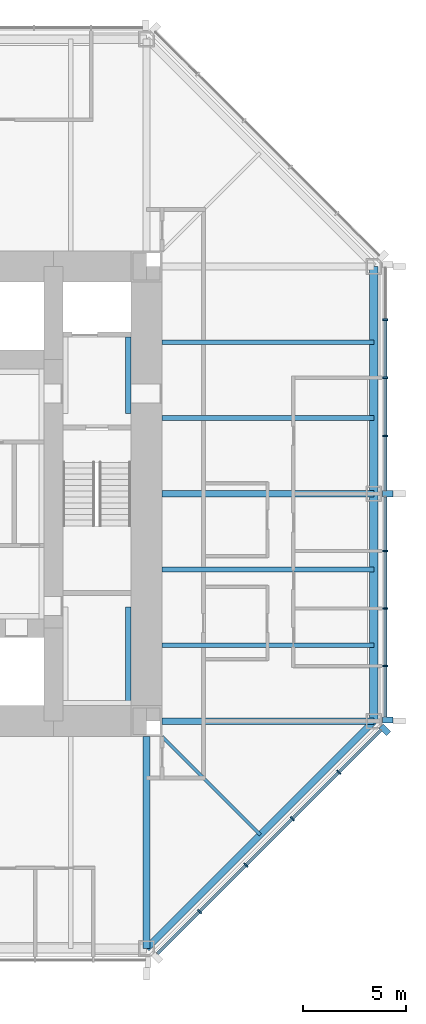
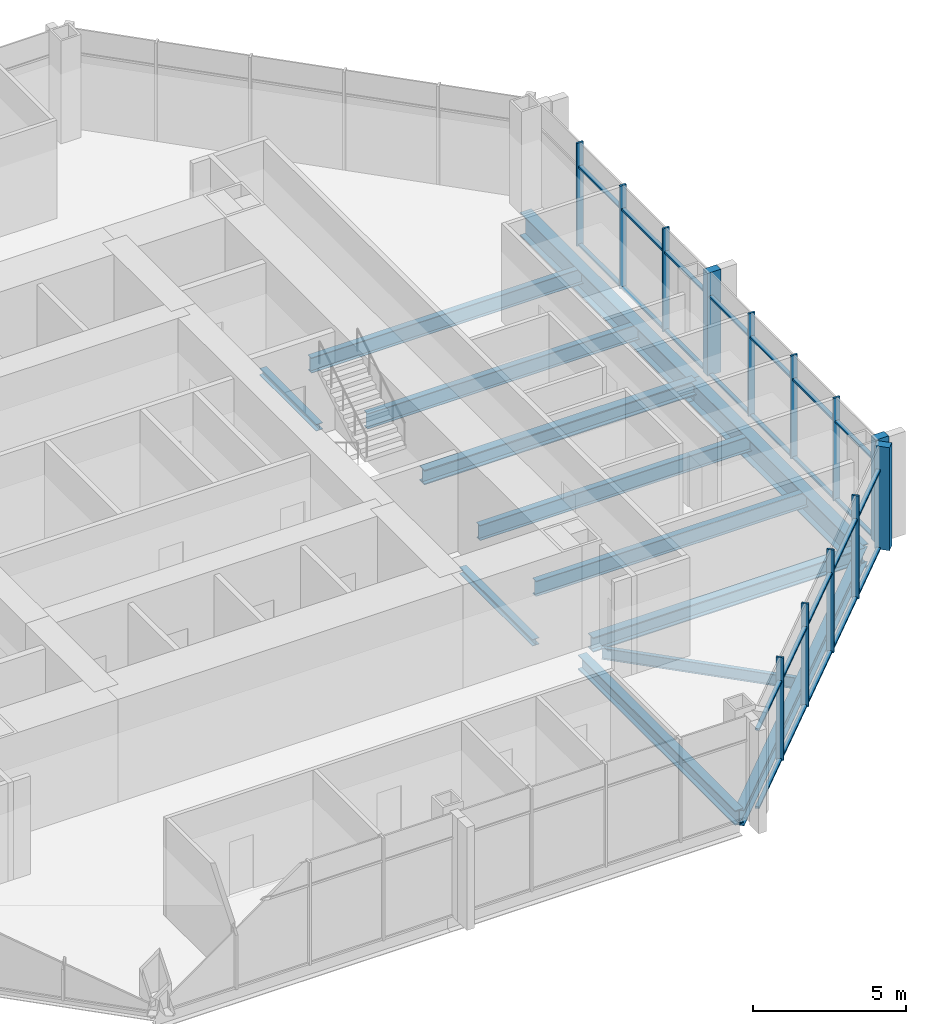
# One storey, part 4 of 12: 37 members, 13 beams, 2 elements without a shape of their own.
"""IFC4 building model written with IfcOpenShell, lengths in metres."""

from ifc_helpers import new_model, si_unit, direction, frame, origin, origin_2d, place, context, subcontext, project, spatial, rectangle, i_section, extrude, material, material_profile, profile_set, type_object, element, aggregate, save


model = new_model("IFC4")

# Units and contexts
model_context = context("Model", 3, precision=1e-05, world=origin(), true_north=direction((0.0, 1.0)))
body_context = subcontext(model_context, "Body", "Model", "MODEL_VIEW")
ifc_project = project(units=[si_unit("LENGTHUNIT", "METRE"), si_unit("AREAUNIT", "SQUARE_METRE"), si_unit("VOLUMEUNIT", "CUBIC_METRE"), si_unit("PLANEANGLEUNIT", "RADIAN"), si_unit("MASSUNIT", "GRAM", prefix="KILO")], contexts=[model_context])

# Site, building, storey
site_placement = place(None, origin())
site = spatial("IfcSite", under=ifc_project, at=site_placement, CompositionType="ELEMENT")
building_placement = place(site_placement, origin())
building = spatial("IfcBuilding", under=site, at=building_placement, Name="Trevanion Tower", CompositionType="ELEMENT")
storey_placement = place(building_placement, frame((0.0, 0.0, 145.89990234375)))
storey = spatial("IfcBuildingStorey", under=building, at=storey_placement, Name="L34", CompositionType="ELEMENT", Elevation=145.89990234375)

# Beams
ifc_material_1 = material(Name="Steel ASTM A992 Grade 50", Category="steel")
ifc_material_profile_1 = material_profile(ifc_material_1, i_section(OverallWidth=0.22900390625, OverallDepth=0.612060546875, WebThickness=0.011962890625, FlangeThickness=0.01953125, at=origin_2d()), Name="W24X84")
ifc_profile_set_1 = profile_set([ifc_material_profile_1], Name="Steel ASTM A992 Grade 50")
beam_type_1 = type_object("IfcBeamType", Name="B7 W24X84", PredefinedType="BEAM", material=ifc_profile_set_1)
for number, where, z_axis, x_axis, name in (
    (1, (11.75, -7.333251953125, -0.49609375), (1.0, 0.0, 0.0), (0.0, 1.0, 0.0), "B7 L34"),
    (2, (11.75, -3.666748046875, -0.49609375), (1.0, 0.0, 0.0), (0.0, 1.0, 0.0), "B7 L34"),
    (3, (11.75, 3.666748046875, -0.49609375), (1.0, 0.0, 0.0), (0.0, 1.0, 0.0), "B7 L34"),
    (4, (11.75, 7.333251953125, -0.49609375), (1.0, 0.0, 0.0), (0.0, 1.0, 0.0), "B7 L34"),
):
    element("IfcBeam", number, at=place(storey_placement, frame(where, z_axis=z_axis, x_axis=x_axis)), inside=storey, type_object=beam_type_1, Name=name, PredefinedType="BEAM", context=body_context, shape_type="SweptSolid", body=[
        extrude(i_section(OverallWidth=0.22900390625, OverallDepth=0.612060546875, WebThickness=0.011962890625, FlangeThickness=0.01953125, at=origin_2d()), origin(), (0.0, 0.0, 1.0), 10.25),
    ])
ifc_material_2 = material(Name="Steel ASTM A992 Grade 50", Category="steel")
ifc_material_profile_2 = material_profile(ifc_material_2, i_section(OverallWidth=0.15234375, OverallDepth=0.449462890625, WebThickness=0.007568359375, FlangeThickness=0.0107421875, at=origin_2d()), Name="W18X35")
ifc_profile_set_2 = profile_set([ifc_material_profile_2], Name="Steel ASTM A992 Grade 50")
beam_type_2 = type_object("IfcBeamType", Name="B8 W18X35", PredefinedType="BEAM", material=ifc_profile_set_2)
beam_1_placement = place(storey_placement, frame((11.75, -11.75, -0.414794921875), z_axis=(0.707106781187, -0.707106781187, 0.0), x_axis=(0.707106781187, 0.707106781187, 0.0)))
element("IfcBeam", 5, at=beam_1_placement, inside=storey, type_object=beam_type_2, Name="B8 L34", PredefinedType="BEAM", context=body_context, shape_type="SweptSolid", body=[
    extrude(i_section(OverallWidth=0.15234375, OverallDepth=0.449462890625, WebThickness=0.007568359375, FlangeThickness=0.0107421875, at=origin_2d()), origin(), (0.0, 0.0, 1.0), 6.717529296875),
])

# Curtain wall, members
ifc_material_3 = material(Name="Aluminium and glass", Category="aluminium")
curtain_wall_type = type_object("IfcCurtainWallType", Name="CW2 curtain wall", PredefinedType="USERDEFINED", material=ifc_material_3)
curtain_wall_1_placement = place(storey_placement, origin())
curtain_wall_1 = element("IfcCurtainWall", 6, at=curtain_wall_1_placement, inside=storey, type_object=curtain_wall_type, Name="CW2 L34 0", ObjectType="UNITISED CURTAIN WALL", PredefinedType="USERDEFINED")
ifc_material_4 = material(Name="Aluminium extrusion, anodised bronze", Category="aluminium")
ifc_material_profile_3 = material_profile(ifc_material_4, rectangle(XDim=0.074951171875, YDim=0.25, at=origin_2d()), Name="CW2 mullion")
ifc_profile_set_3 = profile_set([ifc_material_profile_3], Name="Aluminium extrusion, anodised bronze")
member_type_1 = type_object("IfcMemberType", Name="CW2 mullion", PredefinedType="MULLION", material=ifc_profile_set_3)
member_1_placement = place(storey_placement, frame((22.550048828125, -8.323486328125, -0.18994140625), z_axis=(0.0, 0.0, 1.0), x_axis=(0.0, 1.0, 0.0)))
member_1 = element("IfcMember", 7, at=member_1_placement, type_object=member_type_1, Name="CW2 mullion 2", PredefinedType="MULLION", context=body_context, shape_type="SweptSolid", body=[
    extrude(rectangle(XDim=0.074951171875, YDim=0.25, at=origin_2d()), origin(), (0.0, 0.0, 1.0), 4.10009765625),
])
member_2_placement = place(storey_placement, frame((22.550048828125, -5.548828125, -0.18994140625), z_axis=(0.0, 0.0, 1.0), x_axis=(0.0, 1.0, 0.0)))
member_2 = element("IfcMember", 8, at=member_2_placement, type_object=member_type_1, Name="CW2 mullion 3", PredefinedType="MULLION", context=body_context, shape_type="SweptSolid", body=[
    extrude(rectangle(XDim=0.074951171875, YDim=0.25, at=origin_2d()), origin(), (0.0, 0.0, 1.0), 4.10009765625),
])
member_3_placement = place(storey_placement, frame((22.550048828125, -2.7744140625, -0.18994140625), z_axis=(0.0, 0.0, 1.0), x_axis=(0.0, 1.0, 0.0)))
member_3 = element("IfcMember", 9, at=member_3_placement, type_object=member_type_1, Name="CW2 mullion 4", PredefinedType="MULLION", context=body_context, shape_type="SweptSolid", body=[
    extrude(rectangle(XDim=0.074951171875, YDim=0.25, at=origin_2d()), origin(), (0.0, 0.0, 1.0), 4.10009765625),
])
member_4_placement = place(storey_placement, frame((22.550048828125, 2.806884765625, -0.18994140625), z_axis=(0.0, 0.0, 1.0), x_axis=(0.0, 1.0, 0.0)))
member_4 = element("IfcMember", 10, at=member_4_placement, type_object=member_type_1, Name="CW2 mullion 6", PredefinedType="MULLION", context=body_context, shape_type="SweptSolid", body=[
    extrude(rectangle(XDim=0.074951171875, YDim=0.25, at=origin_2d()), origin(), (0.0, 0.0, 1.0), 4.10009765625),
])
member_5_placement = place(storey_placement, frame((22.550048828125, 5.614013671875, -0.18994140625), z_axis=(0.0, 0.0, 1.0), x_axis=(0.0, 1.0, 0.0)))
member_5 = element("IfcMember", 11, at=member_5_placement, type_object=member_type_1, Name="CW2 mullion 7", PredefinedType="MULLION", context=body_context, shape_type="SweptSolid", body=[
    extrude(rectangle(XDim=0.074951171875, YDim=0.25, at=origin_2d()), origin(), (0.0, 0.0, 1.0), 4.10009765625),
])
member_6_placement = place(storey_placement, frame((22.550048828125, 8.4208984375, -0.18994140625), z_axis=(0.0, 0.0, 1.0), x_axis=(0.0, 1.0, 0.0)))
member_6 = element("IfcMember", 12, at=member_6_placement, type_object=member_type_1, Name="CW2 mullion 8", PredefinedType="MULLION", context=body_context, shape_type="SweptSolid", body=[
    extrude(rectangle(XDim=0.074951171875, YDim=0.25, at=origin_2d()), origin(), (0.0, 0.0, 1.0), 4.10009765625),
])

curtain_wall_2_placement = place(storey_placement, origin())
curtain_wall_2 = element("IfcCurtainWall", 13, at=curtain_wall_2_placement, inside=storey, type_object=curtain_wall_type, Name="CW2 L34 7", ObjectType="UNITISED CURTAIN WALL", PredefinedType="USERDEFINED")
member_7_placement = place(storey_placement, frame((13.56591796875, -20.2119140625, -0.18994140625), z_axis=(0.0, 0.0, 1.0), x_axis=(0.707106781187, 0.707106781187, 0.0)))
member_7 = element("IfcMember", 14, at=member_7_placement, type_object=member_type_1, Name="CW2 mullion 2", PredefinedType="MULLION", context=body_context, shape_type="SweptSolid", body=[
    extrude(rectangle(XDim=0.074951171875, YDim=0.25, at=origin_2d()), origin(), (0.0, 0.0, 1.0), 4.10009765625),
])
member_8_placement = place(storey_placement, frame((15.811767578125, -17.966064453125, -0.18994140625), z_axis=(0.0, 0.0, 1.0), x_axis=(0.707106781187, 0.707106781187, 0.0)))
member_8 = element("IfcMember", 15, at=member_8_placement, type_object=member_type_1, Name="CW2 mullion 3", PredefinedType="MULLION", context=body_context, shape_type="SweptSolid", body=[
    extrude(rectangle(XDim=0.074951171875, YDim=0.25, at=origin_2d()), origin(), (0.0, 0.0, 1.0), 4.10009765625),
])
member_9_placement = place(storey_placement, frame((18.057861328125, -15.719970703125, -0.18994140625), z_axis=(0.0, 0.0, 1.0), x_axis=(0.707106781187, 0.707106781187, 0.0)))
member_9 = element("IfcMember", 16, at=member_9_placement, type_object=member_type_1, Name="CW2 mullion 4", PredefinedType="MULLION", context=body_context, shape_type="SweptSolid", body=[
    extrude(rectangle(XDim=0.074951171875, YDim=0.25, at=origin_2d()), origin(), (0.0, 0.0, 1.0), 4.10009765625),
])
member_10_placement = place(storey_placement, frame((20.303955078125, -13.473876953125, -0.18994140625), z_axis=(0.0, 0.0, 1.0), x_axis=(0.707106781187, 0.707106781187, 0.0)))
member_10 = element("IfcMember", 17, at=member_10_placement, type_object=member_type_1, Name="CW2 mullion 5", PredefinedType="MULLION", context=body_context, shape_type="SweptSolid", body=[
    extrude(rectangle(XDim=0.074951171875, YDim=0.25, at=origin_2d()), origin(), (0.0, 0.0, 1.0), 4.10009765625),
])

# Member
ifc_material_5 = material(Name="Aluminium extrusion, anodised bronze", Category="aluminium")
ifc_material_profile_4 = material_profile(ifc_material_5, rectangle(XDim=0.300048828125, YDim=0.5, at=origin_2d()), Name="CW2 pier mullion")
ifc_profile_set_4 = profile_set([ifc_material_profile_4], Name="Aluminium extrusion, anodised bronze")
member_type_2 = type_object("IfcMemberType", Name="CW2 pier mullion", PredefinedType="MULLION", material=ifc_profile_set_4)
member_11_placement = place(storey_placement, frame((22.675048828125, -10.94775390625, -0.18994140625), z_axis=(0.0, 0.0, 1.0), x_axis=(0.0, 1.0, 0.0)))
member_11 = element("IfcMember", 18, at=member_11_placement, type_object=member_type_2, Name="CW2 pier mullion 1", PredefinedType="MULLION", context=body_context, shape_type="SweptSolid", body=[
    extrude(rectangle(XDim=0.300048828125, YDim=0.5, at=origin_2d()), origin(), (0.0, 0.0, 1.0), 4.10009765625),
])

member_12_placement = place(storey_placement, frame((22.675048828125, 0.0, -0.18994140625), z_axis=(0.0, 0.0, 1.0), x_axis=(0.0, 1.0, 0.0)))
member_12 = element("IfcMember", 19, at=member_12_placement, type_object=member_type_2, Name="CW2 pier mullion 5", PredefinedType="MULLION", context=body_context, shape_type="SweptSolid", body=[
    extrude(rectangle(XDim=0.300048828125, YDim=0.5, at=origin_2d()), origin(), (0.0, 0.0, 1.0), 4.10009765625),
])

member_13_placement = place(storey_placement, frame((22.5322265625, -11.42236328125, -0.18994140625), z_axis=(0.0, 0.0, 1.0), x_axis=(0.707106781187, 0.707106781187, 0.0)))
member_13 = element("IfcMember", 20, at=member_13_placement, type_object=member_type_2, Name="CW2 pier mullion 6", PredefinedType="MULLION", context=body_context, shape_type="SweptSolid", body=[
    extrude(rectangle(XDim=0.300048828125, YDim=0.5, at=origin_2d()), origin(), (0.0, 0.0, 1.0), 4.10009765625),
])

ifc_material_6 = material(Name="Aluminium extrusion, anodised bronze", Category="aluminium")
ifc_material_profile_5 = material_profile(ifc_material_6, rectangle(XDim=0.14990234375, YDim=0.074951171875, at=origin_2d()), Name="CW2 transom")
ifc_profile_set_5 = profile_set([ifc_material_profile_5], Name="Aluminium extrusion, anodised bronze")
member_type_3 = type_object("IfcMemberType", Name="CW2 transom", PredefinedType="USERDEFINED", material=ifc_profile_set_5)
member_14_placement = place(storey_placement, frame((22.550048828125, -10.7978515625, -0.15234375), z_axis=(0.0, 1.0, 0.0), x_axis=(-1.0, 0.0, 0.0)))
member_14 = element("IfcMember", 21, at=member_14_placement, type_object=member_type_3, Name="CW2 transom 1.1", ObjectType="TRANSOM", PredefinedType="USERDEFINED", context=body_context, shape_type="SweptSolid", body=[
    extrude(rectangle(XDim=0.14990234375, YDim=0.074951171875, at=origin_2d()), origin(), (0.0, 0.0, 1.0), 2.43701171875),
])

member_15_placement = place(storey_placement, frame((22.550048828125, -10.7978515625, 2.960205078125), z_axis=(0.0, 1.0, 0.0), x_axis=(-1.0, 0.0, 0.0)))
member_15 = element("IfcMember", 22, at=member_15_placement, type_object=member_type_3, Name="CW2 transom 1.2", ObjectType="TRANSOM", PredefinedType="USERDEFINED", context=body_context, shape_type="SweptSolid", body=[
    extrude(rectangle(XDim=0.14990234375, YDim=0.074951171875, at=origin_2d()), origin(), (0.0, 0.0, 1.0), 2.43701171875),
])

member_16_placement = place(storey_placement, frame((22.550048828125, -8.285888671875, -0.15234375), z_axis=(0.0, 1.0, 0.0), x_axis=(-1.0, 0.0, 0.0)))
member_16 = element("IfcMember", 23, at=member_16_placement, type_object=member_type_3, Name="CW2 transom 2.1", ObjectType="TRANSOM", PredefinedType="USERDEFINED", context=body_context, shape_type="SweptSolid", body=[
    extrude(rectangle(XDim=0.14990234375, YDim=0.074951171875, at=origin_2d()), origin(), (0.0, 0.0, 1.0), 2.699462890625),
])

member_17_placement = place(storey_placement, frame((22.550048828125, -8.285888671875, 2.960205078125), z_axis=(0.0, 1.0, 0.0), x_axis=(-1.0, 0.0, 0.0)))
member_17 = element("IfcMember", 24, at=member_17_placement, type_object=member_type_3, Name="CW2 transom 2.2", ObjectType="TRANSOM", PredefinedType="USERDEFINED", context=body_context, shape_type="SweptSolid", body=[
    extrude(rectangle(XDim=0.14990234375, YDim=0.074951171875, at=origin_2d()), origin(), (0.0, 0.0, 1.0), 2.699462890625),
])

member_18_placement = place(storey_placement, frame((22.550048828125, -5.511474609375, -0.15234375), z_axis=(0.0, 1.0, 0.0), x_axis=(-1.0, 0.0, 0.0)))
member_18 = element("IfcMember", 25, at=member_18_placement, type_object=member_type_3, Name="CW2 transom 3.1", ObjectType="TRANSOM", PredefinedType="USERDEFINED", context=body_context, shape_type="SweptSolid", body=[
    extrude(rectangle(XDim=0.14990234375, YDim=0.074951171875, at=origin_2d()), origin(), (0.0, 0.0, 1.0), 2.699462890625),
])

member_19_placement = place(storey_placement, frame((22.550048828125, -5.511474609375, 2.960205078125), z_axis=(0.0, 1.0, 0.0), x_axis=(-1.0, 0.0, 0.0)))
member_19 = element("IfcMember", 26, at=member_19_placement, type_object=member_type_3, Name="CW2 transom 3.2", ObjectType="TRANSOM", PredefinedType="USERDEFINED", context=body_context, shape_type="SweptSolid", body=[
    extrude(rectangle(XDim=0.14990234375, YDim=0.074951171875, at=origin_2d()), origin(), (0.0, 0.0, 1.0), 2.699462890625),
])

member_20_placement = place(storey_placement, frame((22.550048828125, -2.737060546875, -0.15234375), z_axis=(0.0, 1.0, 0.0), x_axis=(-1.0, 0.0, 0.0)))
member_20 = element("IfcMember", 27, at=member_20_placement, type_object=member_type_3, Name="CW2 transom 4.1", ObjectType="TRANSOM", PredefinedType="USERDEFINED", context=body_context, shape_type="SweptSolid", body=[
    extrude(rectangle(XDim=0.14990234375, YDim=0.074951171875, at=origin_2d()), origin(), (0.0, 0.0, 1.0), 2.587158203125),
])

member_21_placement = place(storey_placement, frame((22.550048828125, -2.737060546875, 2.960205078125), z_axis=(0.0, 1.0, 0.0), x_axis=(-1.0, 0.0, 0.0)))
member_21 = element("IfcMember", 28, at=member_21_placement, type_object=member_type_3, Name="CW2 transom 4.2", ObjectType="TRANSOM", PredefinedType="USERDEFINED", context=body_context, shape_type="SweptSolid", body=[
    extrude(rectangle(XDim=0.14990234375, YDim=0.074951171875, at=origin_2d()), origin(), (0.0, 0.0, 1.0), 2.587158203125),
])

member_22_placement = place(storey_placement, frame((22.550048828125, 0.14990234375, -0.15234375), z_axis=(0.0, 1.0, 0.0), x_axis=(-1.0, 0.0, 0.0)))
member_22 = element("IfcMember", 29, at=member_22_placement, type_object=member_type_3, Name="CW2 transom 5.1", ObjectType="TRANSOM", PredefinedType="USERDEFINED", context=body_context, shape_type="SweptSolid", body=[
    extrude(rectangle(XDim=0.14990234375, YDim=0.074951171875, at=origin_2d()), origin(), (0.0, 0.0, 1.0), 2.619384765625),
])

member_23_placement = place(storey_placement, frame((22.550048828125, 0.14990234375, 2.960205078125), z_axis=(0.0, 1.0, 0.0), x_axis=(-1.0, 0.0, 0.0)))
member_23 = element("IfcMember", 30, at=member_23_placement, type_object=member_type_3, Name="CW2 transom 5.2", ObjectType="TRANSOM", PredefinedType="USERDEFINED", context=body_context, shape_type="SweptSolid", body=[
    extrude(rectangle(XDim=0.14990234375, YDim=0.074951171875, at=origin_2d()), origin(), (0.0, 0.0, 1.0), 2.619384765625),
])

member_24_placement = place(storey_placement, frame((22.550048828125, 2.844482421875, -0.15234375), z_axis=(0.0, 1.0, 0.0), x_axis=(-1.0, 0.0, 0.0)))
member_24 = element("IfcMember", 31, at=member_24_placement, type_object=member_type_3, Name="CW2 transom 6.1", ObjectType="TRANSOM", PredefinedType="USERDEFINED", context=body_context, shape_type="SweptSolid", body=[
    extrude(rectangle(XDim=0.14990234375, YDim=0.074951171875, at=origin_2d()), origin(), (0.0, 0.0, 1.0), 2.73193359375),
])

member_25_placement = place(storey_placement, frame((22.550048828125, 2.844482421875, 2.960205078125), z_axis=(0.0, 1.0, 0.0), x_axis=(-1.0, 0.0, 0.0)))
member_25 = element("IfcMember", 32, at=member_25_placement, type_object=member_type_3, Name="CW2 transom 6.2", ObjectType="TRANSOM", PredefinedType="USERDEFINED", context=body_context, shape_type="SweptSolid", body=[
    extrude(rectangle(XDim=0.14990234375, YDim=0.074951171875, at=origin_2d()), origin(), (0.0, 0.0, 1.0), 2.73193359375),
])

member_26_placement = place(storey_placement, frame((22.550048828125, 5.6513671875, -0.15234375), z_axis=(0.0, 1.0, 0.0), x_axis=(-1.0, 0.0, 0.0)))
member_26 = element("IfcMember", 33, at=member_26_placement, type_object=member_type_3, Name="CW2 transom 7.1", ObjectType="TRANSOM", PredefinedType="USERDEFINED", context=body_context, shape_type="SweptSolid", body=[
    extrude(rectangle(XDim=0.14990234375, YDim=0.074951171875, at=origin_2d()), origin(), (0.0, 0.0, 1.0), 2.73193359375),
])

member_27_placement = place(storey_placement, frame((22.550048828125, 5.6513671875, 2.960205078125), z_axis=(0.0, 1.0, 0.0), x_axis=(-1.0, 0.0, 0.0)))
member_27 = element("IfcMember", 34, at=member_27_placement, type_object=member_type_3, Name="CW2 transom 7.2", ObjectType="TRANSOM", PredefinedType="USERDEFINED", context=body_context, shape_type="SweptSolid", body=[
    extrude(rectangle(XDim=0.14990234375, YDim=0.074951171875, at=origin_2d()), origin(), (0.0, 0.0, 1.0), 2.73193359375),
])

aggregate(curtain_wall_1, [member_11, member_1, member_2, member_3, member_12, member_4, member_5, member_6, member_14, member_15, member_16, member_17, member_18, member_19, member_20, member_21, member_22, member_23, member_24, member_25, member_26, member_27])

member_28_placement = place(storey_placement, frame((11.531982421875, -22.245849609375, -0.15234375), z_axis=(0.707106781187, 0.707106781187, 0.0), x_axis=(-0.707106781187, 0.707106781187, 0.0)))
member_28 = element("IfcMember", 35, at=member_28_placement, type_object=member_type_3, Name="CW2 transom 1.1", ObjectType="TRANSOM", PredefinedType="USERDEFINED", context=body_context, shape_type="SweptSolid", body=[
    extrude(rectangle(XDim=0.14990234375, YDim=0.074951171875, at=origin_2d()), origin(), (0.0, 0.0, 1.0), 2.8388671875),
])

member_29_placement = place(storey_placement, frame((11.531982421875, -22.245849609375, 2.960205078125), z_axis=(0.707106781187, 0.707106781187, 0.0), x_axis=(-0.707106781187, 0.707106781187, 0.0)))
member_29 = element("IfcMember", 36, at=member_29_placement, type_object=member_type_3, Name="CW2 transom 1.2", ObjectType="TRANSOM", PredefinedType="USERDEFINED", context=body_context, shape_type="SweptSolid", body=[
    extrude(rectangle(XDim=0.14990234375, YDim=0.074951171875, at=origin_2d()), origin(), (0.0, 0.0, 1.0), 2.8388671875),
])

member_30_placement = place(storey_placement, frame((13.59228515625, -20.185546875, -0.15234375), z_axis=(0.707106781187, 0.707106781187, 0.0), x_axis=(-0.707106781187, 0.707106781187, 0.0)))
member_30 = element("IfcMember", 37, at=member_30_placement, type_object=member_type_3, Name="CW2 transom 2.1", ObjectType="TRANSOM", PredefinedType="USERDEFINED", context=body_context, shape_type="SweptSolid", body=[
    extrude(rectangle(XDim=0.14990234375, YDim=0.074951171875, at=origin_2d()), origin(), (0.0, 0.0, 1.0), 3.1015625),
])

member_31_placement = place(storey_placement, frame((13.59228515625, -20.185546875, 2.960205078125), z_axis=(0.707106781187, 0.707106781187, 0.0), x_axis=(-0.707106781187, 0.707106781187, 0.0)))
member_31 = element("IfcMember", 38, at=member_31_placement, type_object=member_type_3, Name="CW2 transom 2.2", ObjectType="TRANSOM", PredefinedType="USERDEFINED", context=body_context, shape_type="SweptSolid", body=[
    extrude(rectangle(XDim=0.14990234375, YDim=0.074951171875, at=origin_2d()), origin(), (0.0, 0.0, 1.0), 3.1015625),
])

member_32_placement = place(storey_placement, frame((15.83837890625, -17.939453125, -0.15234375), z_axis=(0.707106781187, 0.707106781187, 0.0), x_axis=(-0.707106781187, 0.707106781187, 0.0)))
member_32 = element("IfcMember", 39, at=member_32_placement, type_object=member_type_3, Name="CW2 transom 3.1", ObjectType="TRANSOM", PredefinedType="USERDEFINED", context=body_context, shape_type="SweptSolid", body=[
    extrude(rectangle(XDim=0.14990234375, YDim=0.074951171875, at=origin_2d()), origin(), (0.0, 0.0, 1.0), 3.1015625),
])

member_33_placement = place(storey_placement, frame((15.83837890625, -17.939453125, 2.960205078125), z_axis=(0.707106781187, 0.707106781187, 0.0), x_axis=(-0.707106781187, 0.707106781187, 0.0)))
member_33 = element("IfcMember", 40, at=member_33_placement, type_object=member_type_3, Name="CW2 transom 3.2", ObjectType="TRANSOM", PredefinedType="USERDEFINED", context=body_context, shape_type="SweptSolid", body=[
    extrude(rectangle(XDim=0.14990234375, YDim=0.074951171875, at=origin_2d()), origin(), (0.0, 0.0, 1.0), 3.1015625),
])

member_34_placement = place(storey_placement, frame((18.08447265625, -15.693359375, -0.15234375), z_axis=(0.707106781187, 0.707106781187, 0.0), x_axis=(-0.707106781187, 0.707106781187, 0.0)))
member_34 = element("IfcMember", 41, at=member_34_placement, type_object=member_type_3, Name="CW2 transom 4.1", ObjectType="TRANSOM", PredefinedType="USERDEFINED", context=body_context, shape_type="SweptSolid", body=[
    extrude(rectangle(XDim=0.14990234375, YDim=0.074951171875, at=origin_2d()), origin(), (0.0, 0.0, 1.0), 3.10107421875),
])

member_35_placement = place(storey_placement, frame((18.08447265625, -15.693359375, 2.960205078125), z_axis=(0.707106781187, 0.707106781187, 0.0), x_axis=(-0.707106781187, 0.707106781187, 0.0)))
member_35 = element("IfcMember", 42, at=member_35_placement, type_object=member_type_3, Name="CW2 transom 4.2", ObjectType="TRANSOM", PredefinedType="USERDEFINED", context=body_context, shape_type="SweptSolid", body=[
    extrude(rectangle(XDim=0.14990234375, YDim=0.074951171875, at=origin_2d()), origin(), (0.0, 0.0, 1.0), 3.10107421875),
])

member_36_placement = place(storey_placement, frame((20.33056640625, -13.447509765625, -0.15234375), z_axis=(0.707063781595, 0.707149778163, 0.0), x_axis=(-0.707149778163, 0.707063781595, 0.0)))
member_36 = element("IfcMember", 43, at=member_36_placement, type_object=member_type_3, Name="CW2 transom 5.1", ObjectType="TRANSOM", PredefinedType="USERDEFINED", context=body_context, shape_type="SweptSolid", body=[
    extrude(rectangle(XDim=0.14990234375, YDim=0.074951171875, at=origin_2d()), origin(), (0.0, 0.0, 1.0), 2.8388671875),
])

member_37_placement = place(storey_placement, frame((20.33056640625, -13.447509765625, 2.960205078125), z_axis=(0.707063781595, 0.707149778163, 0.0), x_axis=(-0.707149778163, 0.707063781595, 0.0)))
member_37 = element("IfcMember", 44, at=member_37_placement, type_object=member_type_3, Name="CW2 transom 5.2", ObjectType="TRANSOM", PredefinedType="USERDEFINED", context=body_context, shape_type="SweptSolid", body=[
    extrude(rectangle(XDim=0.14990234375, YDim=0.074951171875, at=origin_2d()), origin(), (0.0, 0.0, 1.0), 2.8388671875),
])

aggregate(curtain_wall_2, [member_7, member_8, member_9, member_10, member_13, member_28, member_29, member_30, member_31, member_32, member_33, member_34, member_35, member_36, member_37])

# Beams
ifc_material_7 = material(Name="Steel ASTM A992 Grade 50", Category="steel")
ifc_material_profile_6 = material_profile(ifc_material_7, i_section(OverallWidth=0.320068359375, OverallDepth=0.584228515625, WebThickness=0.023193359375, FlangeThickness=0.04150390625, at=origin_2d()), Name="W21X201")
ifc_profile_set_6 = profile_set([ifc_material_profile_6], Name="Steel ASTM A992 Grade 50")
beam_type_3 = type_object("IfcBeamType", Name="G4 W21X201", PredefinedType="BEAM", material=ifc_profile_set_6)
for number, where, z_axis, x_axis, name in (
    (45, (11.75, -11.0, -0.48193359375), (1.0, 0.0, 0.0), (0.0, 1.0, 0.0), "G4 L34"),
    (46, (11.75, 0.0, -0.48193359375), (1.0, 0.0, 0.0), (0.0, 1.0, 0.0), "G4 L34"),
    (47, (11.0, -11.75, -0.48193359375), (0.0, -1.0, 0.0), (1.0, 0.0, 0.0), "G4 L34"),
):
    element("IfcBeam", number, at=place(storey_placement, frame(where, z_axis=z_axis, x_axis=x_axis)), inside=storey, type_object=beam_type_3, Name=name, PredefinedType="BEAM", context=body_context, shape_type="SweptSolid", body=[
        extrude(i_section(OverallWidth=0.320068359375, OverallDepth=0.584228515625, WebThickness=0.023193359375, FlangeThickness=0.04150390625, at=origin_2d()), origin(), (0.0, 0.0, 1.0), 10.25),
    ])
ifc_material_8 = material(Name="Steel ASTM A992 Grade 50", Category="steel")
ifc_material_profile_7 = material_profile(ifc_material_8, i_section(OverallWidth=0.256591796875, OverallDepth=0.26416015625, WebThickness=0.011962890625, FlangeThickness=0.01953125, at=origin_2d()), Name="W10X68")
ifc_profile_set_7 = profile_set([ifc_material_profile_7], Name="Steel ASTM A992 Grade 50")
beam_type_4 = type_object("IfcBeamType", Name="LB1 W10X68", PredefinedType="BEAM", material=ifc_profile_set_7)
beam_2_placement = place(storey_placement, frame((10.12158203125, 3.875, -0.33203125), z_axis=(0.0, 1.0, 0.0), x_axis=(-1.0, 0.0, 0.0)))
element("IfcBeam", 48, at=beam_2_placement, inside=storey, type_object=beam_type_4, Name="LB1 L34", PredefinedType="BEAM", context=body_context, shape_type="SweptSolid", body=[
    extrude(i_section(OverallWidth=0.256591796875, OverallDepth=0.26416015625, WebThickness=0.011962890625, FlangeThickness=0.01953125, at=origin_2d()), origin(), (0.0, 0.0, 1.0), 3.699951171875),
])
beam_3_placement = place(storey_placement, frame((10.12158203125, -10.25, -0.33203125), z_axis=(0.0, 1.0, 0.0), x_axis=(-1.0, 0.0, 0.0)))
element("IfcBeam", 49, at=beam_3_placement, inside=storey, type_object=beam_type_4, Name="LB1 L34", PredefinedType="BEAM", context=body_context, shape_type="SweptSolid", body=[
    extrude(i_section(OverallWidth=0.256591796875, OverallDepth=0.26416015625, WebThickness=0.011962890625, FlangeThickness=0.01953125, at=origin_2d()), origin(), (0.0, 0.0, 1.0), 4.77490234375),
])
ifc_material_9 = material(Name="Steel ASTM A992 Grade 50", Category="steel")
ifc_material_profile_8 = material_profile(ifc_material_9, i_section(OverallWidth=0.419189453125, OverallDepth=0.927001953125, WebThickness=0.019287109375, FlangeThickness=0.031982421875, at=origin_2d()), Name="W36X231")
ifc_profile_set_8 = profile_set([ifc_material_profile_8], Name="Steel ASTM A992 Grade 50")
beam_type_5 = type_object("IfcBeamType", Name="SB4 W36X231", PredefinedType="SPANDREL", material=ifc_profile_set_8)
for number, where, z_axis, x_axis, name in (
    (50, (22.0, -11.0, -0.6533203125), (0.0, 1.0, 0.0), (-1.0, 0.0, 0.0), "SB4 L34"),
    (51, (22.0, 0.0, -0.6533203125), (0.0, 1.0, 0.0), (-1.0, 0.0, 0.0), "SB4 L34"),
):
    element("IfcBeam", number, at=place(storey_placement, frame(where, z_axis=z_axis, x_axis=x_axis)), inside=storey, type_object=beam_type_5, Name=name, PredefinedType="SPANDREL", context=body_context, shape_type="SweptSolid", body=[
        extrude(i_section(OverallWidth=0.419189453125, OverallDepth=0.927001953125, WebThickness=0.019287109375, FlangeThickness=0.031982421875, at=origin_2d()), origin(), (0.0, 0.0, 1.0), 11.0),
    ])
ifc_material_10 = material(Name="Steel ASTM A992 Grade 50", Category="steel")
ifc_material_profile_9 = material_profile(ifc_material_10, i_section(OverallWidth=0.32763671875, OverallDepth=0.62744140625, WebThickness=0.0166015625, FlangeThickness=0.027587890625, at=origin_2d()), Name="W24X146")
ifc_profile_set_9 = profile_set([ifc_material_profile_9], Name="Steel ASTM A992 Grade 50")
beam_type_6 = type_object("IfcBeamType", Name="SB5 W24X146", PredefinedType="SPANDREL", material=ifc_profile_set_9)
beam_4_placement = place(storey_placement, frame((11.0, -22.0, -0.503662109375), z_axis=(0.707106781187, 0.707106781187, 0.0), x_axis=(-0.707106781187, 0.707106781187, 0.0)))
element("IfcBeam", 52, at=beam_4_placement, inside=storey, type_object=beam_type_6, Name="SB5 L34", PredefinedType="SPANDREL", context=body_context, shape_type="SweptSolid", body=[
    extrude(i_section(OverallWidth=0.32763671875, OverallDepth=0.62744140625, WebThickness=0.0166015625, FlangeThickness=0.027587890625, at=origin_2d()), origin(), (0.0, 0.0, 1.0), 15.556396484375),
])

save(model, "model.ifc")
